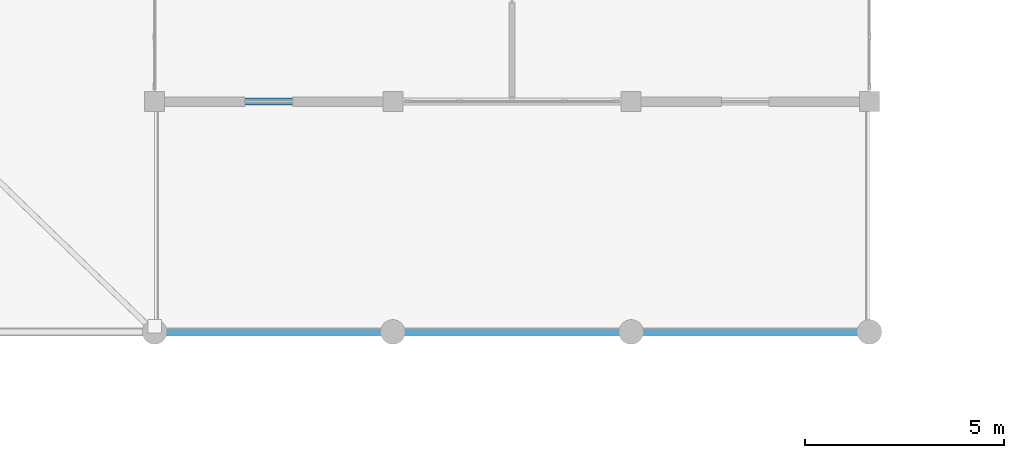
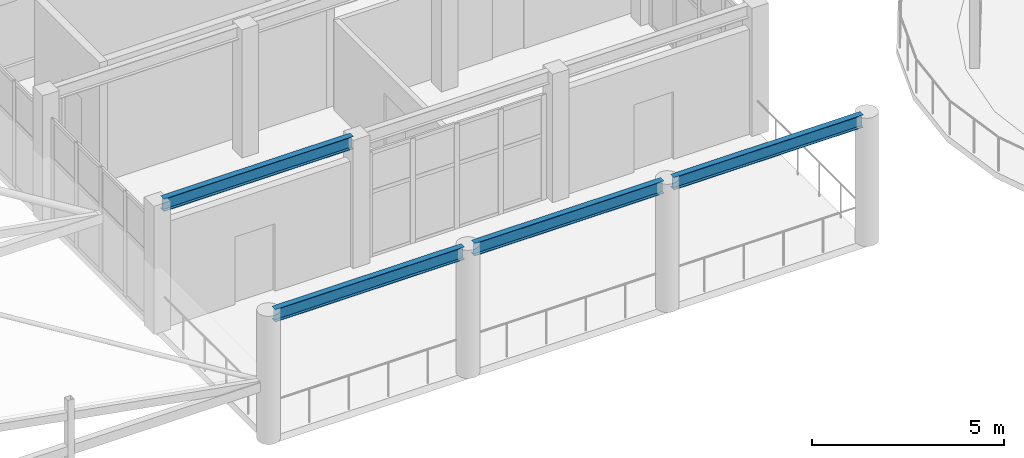
# One storey, part 21 of 128: 4 beams.
"""IFC4 building model written with IfcOpenShell, lengths in metres."""

from ifc_helpers import new_model, si_unit, direction, frame, origin, origin_2d, place, context, subcontext, project, spatial, i_section, extrude, material, material_profile, profile_set, type_object, element, save


model = new_model("IFC4")

# Units and contexts
model_context = context("Model", 3, precision=1e-05, world=origin(), true_north=direction((0.0, 1.0)))
body_context = subcontext(model_context, "Body", "Model", "MODEL_VIEW")
ifc_project = project(units=[si_unit("LENGTHUNIT", "METRE"), si_unit("AREAUNIT", "SQUARE_METRE"), si_unit("VOLUMEUNIT", "CUBIC_METRE"), si_unit("PLANEANGLEUNIT", "RADIAN"), si_unit("MASSUNIT", "GRAM", prefix="KILO")], contexts=[model_context])

# Site, building, storey
site_placement = place(None, origin())
site = spatial("IfcSite", under=ifc_project, at=site_placement, CompositionType="ELEMENT")
building_placement = place(site_placement, origin())
building = spatial("IfcBuilding", under=site, at=building_placement, Name="Tanwirah Colonnade Gardens", CompositionType="ELEMENT")
storey_placement = place(building_placement, frame((0.0, 0.0, 4.760009765625)))
storey = spatial("IfcBuildingStorey", under=building, at=storey_placement, Name="L01", CompositionType="ELEMENT", Elevation=4.760009765625)

# Beams
ifc_material = material(Name="Steel S355", Category="steel")
ifc_material_profile = material_profile(ifc_material, i_section(OverallWidth=0.179931640625, OverallDepth=0.39990234375, WebThickness=0.008544921875, FlangeThickness=0.013427734375, at=origin_2d()), Name="IPE 400")
ifc_profile_set = profile_set([ifc_material_profile], Name="Steel S355")
beam_type = type_object("IfcBeamType", Name="SBM-IPE330", PredefinedType="BEAM", material=ifc_profile_set)
for number, where, z_axis, x_axis, name in (
    (1, (102.14990234375, 10.800048828125, 3.8798828125), (1.0, 0.0, 0.0), (0.0, 1.0, 0.0), "Boulevard Shops E L01 Beam 0.0"),
    (2, (108.14990234375, 10.800048828125, 3.8798828125), (1.0, 0.0, 0.0), (0.0, 1.0, 0.0), "Boulevard Shops E L01 Beam 1.0"),
    (3, (114.14990234375, 10.800048828125, 3.8798828125), (1.0, 0.0, 0.0), (0.0, 1.0, 0.0), "Boulevard Shops E L01 Beam 2.0"),
    (4, (102.14990234375, 16.60009765625, 3.8798828125), (1.0, 0.0, 0.0), (0.0, 1.0, 0.0), "Boulevard Shops E L01 Beam 0.1"),
):
    element("IfcBeam", number, at=place(storey_placement, frame(where, z_axis=z_axis, x_axis=x_axis)), inside=storey, type_object=beam_type, Name=name, PredefinedType="BEAM", context=body_context, shape_type="SweptSolid", body=[
        extrude(i_section(OverallWidth=0.179931640625, OverallDepth=0.39990234375, WebThickness=0.008544921875, FlangeThickness=0.013427734375, at=origin_2d()), origin(), (0.0, 0.0, 1.0), 5.7001953125),
    ])

save(model, "model.ifc")
